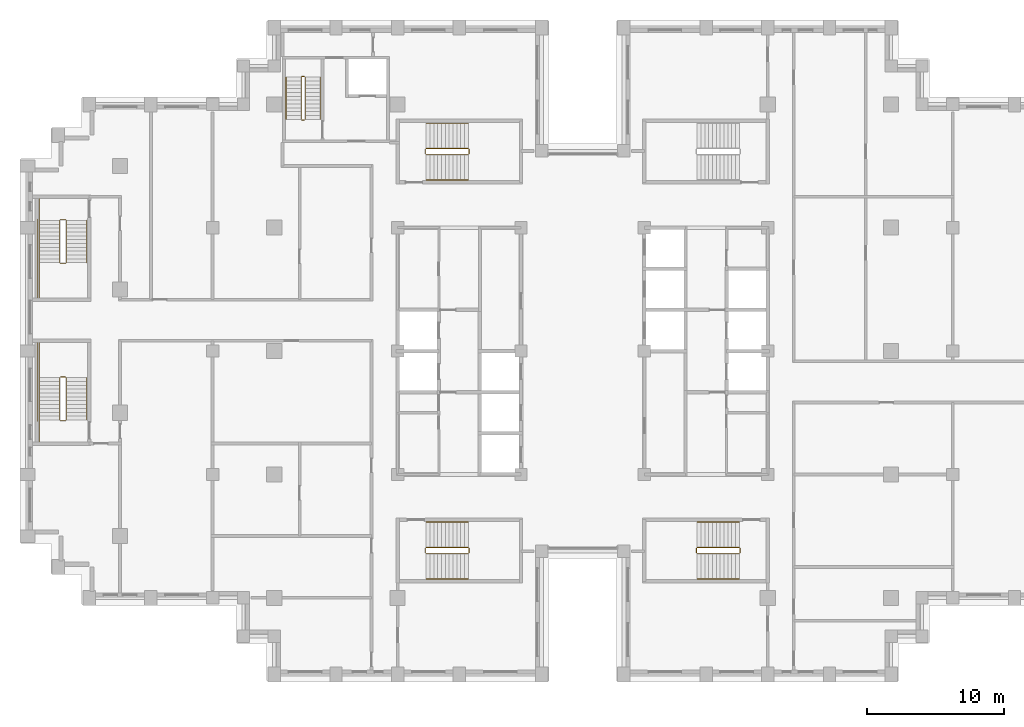
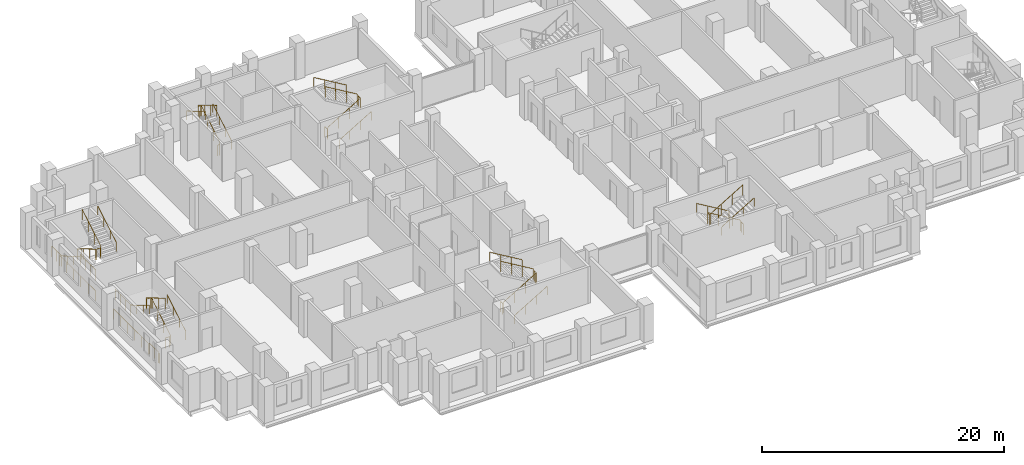
# One storey, part 14 of 15: 6 railings.
"""IFC4 building model written with IfcOpenShell, lengths in metres."""

import ifcopenshell
import ifcopenshell.guid

model = None  # the IFC model being written
_history = None  # IfcOwnerHistory: only IFC2X3 demands one
_inside = {}  # id of a spatial element -> (the spatial element, [elements in it])
_under = {}  # id of a project, library or spatial element -> (it, [spatial elements below it])
_declared = {}  # id of a project -> (the project, [libraries it declares])
_typed = {}  # id of a type object -> (the type object, [elements of that type])
_made_of = {}  # id of a material, layer set ... -> (it, [elements and type objects made of it])


def new_model(schema):
    """Start an empty IFC model of exactly this schema.

    Asked for "IFC4X3", IfcOpenShell would pick the latest addendum, in which some entities
    have other attributes; the version numbers below select the first issue.
    IFC2X3 requires an IfcOwnerHistory on every rooted entity: one is made here for all.
    """
    global model, _history
    if schema == "IFC4X3":
        model = ifcopenshell.file(schema_version=(4, 3, 0, 0))
    else:
        model = ifcopenshell.file(schema=schema)
    _inside.clear()
    _under.clear()
    _declared.clear()
    _typed.clear()
    _made_of.clear()
    _history = None
    if model.schema == "IFC2X3":
        org = make("IfcOrganization", Name="unknown")
        user = make(
            "IfcPersonAndOrganization",
            ThePerson=make("IfcPerson", FamilyName="unknown"),
            TheOrganization=org,
        )
        app = make(
            "IfcApplication",
            ApplicationDeveloper=org,
            Version="unknown",
            ApplicationFullName="unknown",
            ApplicationIdentifier="unknown",
        )
        _history = make(
            "IfcOwnerHistory",
            OwningUser=user,
            OwningApplication=app,
            ChangeAction="ADDED",
            CreationDate=0,
        )
    return model


def make(cls, **values):
    """One entity of the class cls with the attributes given. An attribute that is None is left unset."""
    return model.create_entity(
        cls, **{name: value for name, value in values.items() if value is not None}
    )


def rooted(cls, **values):
    """An entity with a GlobalId (a new one), such as an element, a storey or a relation."""
    return make(cls, GlobalId=ifcopenshell.guid.new(), OwnerHistory=_history, **values)


def si_unit(unit_type, name, prefix=None):
    """IfcSIUnit, for example si_unit("LENGTHUNIT", "METRE", prefix="MILLI")."""
    return make("IfcSIUnit", UnitType=unit_type, Prefix=prefix, Name=name)


def assignment(units):
    """IfcUnitAssignment: the units of a project."""
    return None if units is None else make("IfcUnitAssignment", Units=units)


def point(xyz):
    """IfcCartesianPoint."""
    return None if xyz is None else make("IfcCartesianPoint", Coordinates=xyz)


def direction(xyz):
    """IfcDirection."""
    return None if xyz is None else make("IfcDirection", DirectionRatios=xyz)


def frame(location, z_axis=None, x_axis=None):
    """IfcAxis2Placement3D, a coordinate frame: its origin and axes. An axis left out is left unset."""
    return make(
        "IfcAxis2Placement3D",
        Location=point(location),
        Axis=direction(z_axis),
        RefDirection=direction(x_axis),
    )


def frame_2d(location, x_axis=None):
    """IfcAxis2Placement2D, a coordinate frame in the plane: its origin and x axis."""
    return make(
        "IfcAxis2Placement2D", Location=point(location), RefDirection=direction(x_axis)
    )


def origin():
    """The frame at (0, 0, 0) with its axes left unset."""
    return frame((0.0, 0.0, 0.0))


def origin_2d():
    """The frame at (0, 0) in the plane with its x axis left unset."""
    return frame_2d((0.0, 0.0))


def place(relative_to, where):
    """IfcLocalPlacement: puts the frame where relative to a parent placement (None: the world)."""
    return make(
        "IfcLocalPlacement", PlacementRelTo=relative_to, RelativePlacement=where
    )


def context(
    kind, dimensions, precision=None, world=None, true_north=None, identifier=None
):
    """IfcGeometricRepresentationContext, for example the 3D "Model" context."""
    return make(
        "IfcGeometricRepresentationContext",
        ContextIdentifier=identifier,
        ContextType=kind,
        CoordinateSpaceDimension=dimensions,
        Precision=precision,
        WorldCoordinateSystem=world,
        TrueNorth=true_north,
    )


def subcontext(parent, identifier, kind, view, scale=None):
    """IfcGeometricRepresentationSubContext, for example "Body" below "Model"."""
    return make(
        "IfcGeometricRepresentationSubContext",
        ContextIdentifier=identifier,
        ContextType=kind,
        ParentContext=parent,
        TargetScale=scale,
        TargetView=view,
    )


def project(units=None, contexts=None):
    """IfcProject with its units and contexts."""
    return rooted(
        "IfcProject",
        Name="project",
        RepresentationContexts=contexts,
        UnitsInContext=assignment(units),
    )


def spatial(cls, under=None, at=None, **own):
    """A site, building, storey or space (cls), placed at a placement, below another one or the project."""
    s = rooted(cls, ObjectPlacement=at, **own)
    if under is not None:
        _under.setdefault(under.id(), (under, []))[1].append(s)
    return s


def profile(cls, at=None, kind="AREA", **sizes):
    """A parametric profile (cls). Its sizes go by their IFC names, for example OverallWidth=200.0."""
    return make(cls, ProfileType=kind, Position=at, **sizes)


def circle(**sizes):
    """IfcCircleProfileDef."""
    return profile("IfcCircleProfileDef", **sizes)


def extrude(swept, where, along, depth):
    """IfcExtrudedAreaSolid: the profile swept, set in the frame where, extruded along a direction by depth."""
    return make(
        "IfcExtrudedAreaSolid",
        SweptArea=swept,
        Position=where,
        ExtrudedDirection=direction(along),
        Depth=depth,
    )


def shape(context_of_items, identifier, shape_type, items):
    """IfcShapeRepresentation: the items that make up one representation, for example the "Body"."""
    return make(
        "IfcShapeRepresentation",
        ContextOfItems=context_of_items,
        RepresentationIdentifier=identifier,
        RepresentationType=shape_type,
        Items=items,
    )


def material(Name=None, Category=None):
    """IfcMaterial."""
    return make("IfcMaterial", Name=Name, Category=Category)


def made_of(thing, what):
    """Note that an element or type object is made of a material, layer set ...; save() writes the relation."""
    if what is not None:
        _made_of.setdefault(what.id(), (what, []))[1].append(thing)
    return thing


def type_object(cls, material=None, **own):
    """A type object (cls), such as IfcWallType, which elements share."""
    return made_of(rooted(cls, **own), material)


def element(
    cls,
    number,
    at=None,
    inside=None,
    cuts=None,
    type_object=None,
    material=None,
    context=None,
    identifier="Body",
    shape_type=None,
    held_by="IfcProductDefinitionShape",
    body=None,
    shapes=None,
    **own,
):
    """One element of the class cls, such as IfcWall. Its Tag is "e" and its number.

    at: its placement. inside: the storey or other place that contains it. cuts: it is an
    opening in that element (IfcRelVoidsElement). A single representation is given by context,
    identifier, shape_type and body (its items); several are given by shapes. held_by: the class
    of the entity that holds the representations. save() writes the other relations.
    """
    e = rooted(cls, Tag="e%d" % number, ObjectPlacement=at, **own)
    if body is not None:
        shapes = [shape(context, identifier, shape_type, body)]
    if shapes is not None:
        e.Representation = make(held_by, Representations=shapes)
    if inside is not None:
        _inside.setdefault(inside.id(), (inside, []))[1].append(e)
    if cuts is not None:
        rooted(
            "IfcRelVoidsElement", RelatingBuildingElement=cuts, RelatedOpeningElement=e
        )
    if type_object is not None:
        _typed.setdefault(type_object.id(), (type_object, []))[1].append(e)
    return made_of(e, material)


def aggregate(whole, parts):
    """IfcRelAggregates: a whole, such as a stair, and the parts it consists of."""
    return rooted("IfcRelAggregates", RelatingObject=whole, RelatedObjects=parts)


def save(model, path):
    """Write the relations noted so far, then the file.

    IfcRelAggregates (storeys below a building ...), IfcRelContainedInSpatialStructure (elements
    in a storey), IfcRelDefinesByType, IfcRelAssociatesMaterial and IfcRelDeclares: one each for
    every whole, place, type object, material and project.
    """
    for whole, parts in _under.values():
        aggregate(whole, parts)
    for where, things in _inside.values():
        rooted(
            "IfcRelContainedInSpatialStructure",
            RelatedElements=things,
            RelatingStructure=where,
        )
    for kind, things in _typed.values():
        rooted("IfcRelDefinesByType", RelatedObjects=things, RelatingType=kind)
    for what, things in _made_of.values():
        rooted("IfcRelAssociatesMaterial", RelatedObjects=things, RelatingMaterial=what)
    for by, libraries in _declared.values():
        rooted("IfcRelDeclares", RelatingContext=by, RelatedDefinitions=libraries)
    model.write(path)


model = new_model("IFC4")

# Units and contexts
model_context = context("Model", 3, precision=1e-05, world=origin(), true_north=direction((0.0, 1.0)))
body_context = subcontext(model_context, "Body", "Model", "MODEL_VIEW")
ifc_project = project(units=[si_unit("LENGTHUNIT", "METRE"), si_unit("AREAUNIT", "SQUARE_METRE"), si_unit("VOLUMEUNIT", "CUBIC_METRE"), si_unit("PLANEANGLEUNIT", "RADIAN"), si_unit("MASSUNIT", "GRAM", prefix="KILO")], contexts=[model_context])

# Site, building, storey
site_placement = place(None, origin())
site = spatial("IfcSite", under=ifc_project, at=site_placement, CompositionType="ELEMENT")
building_placement = place(site_placement, origin())
building = spatial("IfcBuilding", under=site, at=building_placement, Name="Corbelhall Arena Tower", CompositionType="ELEMENT")
storey_placement = place(building_placement, frame((0.0, 0.0, 162.0)))
storey = spatial("IfcBuildingStorey", under=building, at=storey_placement, Name="L32", CompositionType="ELEMENT", Elevation=162.0)

# Railings
ifc_material = material(Name="Steel ASTM A500 Gr C", Category="steel")
railing_type = type_object("IfcRailingType", Name="IN-GD-1100", PredefinedType="GUARDRAIL", material=ifc_material)
railing_1_placement = place(storey_placement, frame((-11.425048828125, 14.324951171875, 0.166748046875)))
element("IfcRailing", 1, at=railing_1_placement, inside=storey, type_object=railing_type, Name="L32 ST1 stair guards and handrails", PredefinedType="GUARDRAIL", context=body_context, shape_type="SweptSolid", body=[
    extrude(circle(Radius=0.02392578125, at=origin_2d()), frame((0.0, 0.0, 1.076171875), z_axis=(0.859308565015, 0.0, 0.511457515432), x_axis=(0.0, 1.0, 0.0)), (0.0, 0.0, 1.0), 3.58447265625),
    extrude(circle(Radius=0.02392578125, at=origin_2d()), frame((3.130126953125, 0.050048828125, 2.9091796875), z_axis=(0.0, 1.0, 0.0), x_axis=(-1.0, 0.0, 0.0)), (0.0, 0.0, 1.0), 0.35009765625),
    extrude(circle(Radius=0.02392578125, at=origin_2d()), frame((3.080078125, 0.449951171875, 3.076171875), z_axis=(-0.859308565015, 0.0, 0.511457515432), x_axis=(0.0, -1.0, 0.0)), (0.0, 0.0, 1.0), 3.58447265625),
    extrude(circle(Radius=0.02392578125, at=origin_2d()), frame((-0.050048828125, 0.050048828125, 0.9091796875), z_axis=(0.0, 1.0, 0.0), x_axis=(-1.0, 0.0, 0.0)), (0.0, 0.0, 1.0), 0.35009765625),
    extrude(circle(Radius=0.02392578125, at=origin_2d()), frame((0.0, -1.849853515625, 0.8759765625), z_axis=(0.859308565015, 0.0, 0.511457515432), x_axis=(0.0, 1.0, 0.0)), (0.0, 0.0, 1.0), 3.58447265625),
    extrude(circle(Radius=0.02392578125, at=origin_2d()), frame((3.080078125, 2.300048828125, 2.8759765625), z_axis=(-0.859308565015, 0.0, 0.511457515432), x_axis=(0.0, -1.0, 0.0)), (0.0, 0.0, 1.0), 3.58447265625),
    extrude(circle(Radius=0.02099609375, at=origin_2d()), origin(), (0.0, 0.0, 1.0), 1.052001953125),
    extrude(circle(Radius=0.02099609375, at=origin_2d()), frame((1.026611328125, 0.0, 0.611083984375)), (0.0, 0.0, 1.0), 1.052001953125),
    extrude(circle(Radius=0.02099609375, at=origin_2d()), frame((2.053466796875, 0.0, 1.22216796875)), (0.0, 0.0, 1.0), 1.052001953125),
    extrude(circle(Radius=0.02099609375, at=origin_2d()), frame((3.080078125, 0.0, 1.833251953125)), (0.0, 0.0, 1.0), 1.052001953125),
    extrude(circle(Radius=0.02099609375, at=origin_2d()), frame((3.130126953125, 0.050048828125, 1.833251953125)), (0.0, 0.0, 1.0), 1.052001953125),
    extrude(circle(Radius=0.02099609375, at=origin_2d()), frame((3.130126953125, 0.400146484375, 1.833251953125)), (0.0, 0.0, 1.0), 1.052001953125),
    extrude(circle(Radius=0.02099609375, at=origin_2d()), frame((3.080078125, 0.449951171875, 2.0)), (0.0, 0.0, 1.0), 1.052001953125),
    extrude(circle(Radius=0.02099609375, at=origin_2d()), frame((2.053466796875, 0.449951171875, 2.611083984375)), (0.0, 0.0, 1.0), 1.052001953125),
    extrude(circle(Radius=0.02099609375, at=origin_2d()), frame((1.026611328125, 0.449951171875, 3.22216796875)), (0.0, 0.0, 1.0), 1.052001953125),
    extrude(circle(Radius=0.02099609375, at=origin_2d()), frame((0.0, 0.449951171875, 3.833251953125)), (0.0, 0.0, 1.0), 1.052001953125),
    extrude(circle(Radius=0.02099609375, at=origin_2d()), frame((-0.050048828125, 0.050048828125, -0.166748046875)), (0.0, 0.0, 1.0), 1.052001953125),
    extrude(circle(Radius=0.02099609375, at=origin_2d()), frame((-0.050048828125, 0.400146484375, -0.166748046875)), (0.0, 0.0, 1.0), 1.052001953125),
    extrude(circle(Radius=0.02099609375, at=origin_2d()), frame((0.0, -1.849853515625, 0.0)), (0.0, 0.0, 1.0), 0.851806640625),
    extrude(circle(Radius=0.02099609375, at=origin_2d()), frame((1.026611328125, -1.849853515625, 0.611083984375)), (0.0, 0.0, 1.0), 0.851806640625),
    extrude(circle(Radius=0.02099609375, at=origin_2d()), frame((2.053466796875, -1.849853515625, 1.22216796875)), (0.0, 0.0, 1.0), 0.851806640625),
    extrude(circle(Radius=0.02099609375, at=origin_2d()), frame((3.080078125, -1.849853515625, 1.833251953125)), (0.0, 0.0, 1.0), 0.851806640625),
    extrude(circle(Radius=0.02099609375, at=origin_2d()), frame((3.080078125, 2.300048828125, 2.0)), (0.0, 0.0, 1.0), 0.851806640625),
    extrude(circle(Radius=0.02099609375, at=origin_2d()), frame((2.053466796875, 2.300048828125, 2.611083984375)), (0.0, 0.0, 1.0), 0.851806640625),
    extrude(circle(Radius=0.02099609375, at=origin_2d()), frame((1.026611328125, 2.300048828125, 3.22216796875)), (0.0, 0.0, 1.0), 0.851806640625),
    extrude(circle(Radius=0.02099609375, at=origin_2d()), frame((0.0, 2.300048828125, 3.833251953125)), (0.0, 0.0, 1.0), 0.851806640625),
])
railing_2_placement = place(storey_placement, frame((-11.425048828125, -14.77490234375, 0.166748046875)))
element("IfcRailing", 2, at=railing_2_placement, inside=storey, type_object=railing_type, Name="L32 ST2 stair guards and handrails", PredefinedType="GUARDRAIL", context=body_context, shape_type="SweptSolid", body=[
    extrude(circle(Radius=0.02392578125, at=origin_2d()), frame((0.0, 0.0, 1.076171875), z_axis=(0.859308565015, 0.0, 0.511457515432), x_axis=(0.0, 1.0, 0.0)), (0.0, 0.0, 1.0), 3.58447265625),
    extrude(circle(Radius=0.02392578125, at=origin_2d()), frame((3.130126953125, 0.0498046875, 2.9091796875), z_axis=(0.0, 1.0, 0.0), x_axis=(-1.0, 0.0, 0.0)), (0.0, 0.0, 1.0), 0.35009765625),
    extrude(circle(Radius=0.02392578125, at=origin_2d()), frame((3.080078125, 0.449951171875, 3.076171875), z_axis=(-0.859308565015, 0.0, 0.511457515432), x_axis=(0.0, -1.0, 0.0)), (0.0, 0.0, 1.0), 3.58447265625),
    extrude(circle(Radius=0.02392578125, at=origin_2d()), frame((-0.050048828125, 0.0498046875, 0.9091796875), z_axis=(0.0, 1.0, 0.0), x_axis=(-1.0, 0.0, 0.0)), (0.0, 0.0, 1.0), 0.35009765625),
    extrude(circle(Radius=0.02392578125, at=origin_2d()), frame((0.0, -1.85009765625, 0.8759765625), z_axis=(0.859308565015, 0.0, 0.511457515432), x_axis=(0.0, 1.0, 0.0)), (0.0, 0.0, 1.0), 3.58447265625),
    extrude(circle(Radius=0.02392578125, at=origin_2d()), frame((3.080078125, 2.2998046875, 2.8759765625), z_axis=(-0.859308565015, 0.0, 0.511457515432), x_axis=(0.0, -1.0, 0.0)), (0.0, 0.0, 1.0), 3.58447265625),
    extrude(circle(Radius=0.02099609375, at=origin_2d()), origin(), (0.0, 0.0, 1.0), 1.052001953125),
    extrude(circle(Radius=0.02099609375, at=origin_2d()), frame((1.026611328125, 0.0, 0.611083984375)), (0.0, 0.0, 1.0), 1.052001953125),
    extrude(circle(Radius=0.02099609375, at=origin_2d()), frame((2.053466796875, 0.0, 1.22216796875)), (0.0, 0.0, 1.0), 1.052001953125),
    extrude(circle(Radius=0.02099609375, at=origin_2d()), frame((3.080078125, 0.0, 1.833251953125)), (0.0, 0.0, 1.0), 1.052001953125),
    extrude(circle(Radius=0.02099609375, at=origin_2d()), frame((3.130126953125, 0.0498046875, 1.833251953125)), (0.0, 0.0, 1.0), 1.052001953125),
    extrude(circle(Radius=0.02099609375, at=origin_2d()), frame((3.130126953125, 0.39990234375, 1.833251953125)), (0.0, 0.0, 1.0), 1.052001953125),
    extrude(circle(Radius=0.02099609375, at=origin_2d()), frame((3.080078125, 0.449951171875, 2.0)), (0.0, 0.0, 1.0), 1.052001953125),
    extrude(circle(Radius=0.02099609375, at=origin_2d()), frame((2.053466796875, 0.449951171875, 2.611083984375)), (0.0, 0.0, 1.0), 1.052001953125),
    extrude(circle(Radius=0.02099609375, at=origin_2d()), frame((1.026611328125, 0.449951171875, 3.22216796875)), (0.0, 0.0, 1.0), 1.052001953125),
    extrude(circle(Radius=0.02099609375, at=origin_2d()), frame((0.0, 0.449951171875, 3.833251953125)), (0.0, 0.0, 1.0), 1.052001953125),
    extrude(circle(Radius=0.02099609375, at=origin_2d()), frame((-0.050048828125, 0.0498046875, -0.166748046875)), (0.0, 0.0, 1.0), 1.052001953125),
    extrude(circle(Radius=0.02099609375, at=origin_2d()), frame((-0.050048828125, 0.39990234375, -0.166748046875)), (0.0, 0.0, 1.0), 1.052001953125),
    extrude(circle(Radius=0.02099609375, at=origin_2d()), frame((0.0, -1.85009765625, 0.0)), (0.0, 0.0, 1.0), 0.851806640625),
    extrude(circle(Radius=0.02099609375, at=origin_2d()), frame((1.026611328125, -1.85009765625, 0.611083984375)), (0.0, 0.0, 1.0), 0.851806640625),
    extrude(circle(Radius=0.02099609375, at=origin_2d()), frame((2.053466796875, -1.85009765625, 1.22216796875)), (0.0, 0.0, 1.0), 0.851806640625),
    extrude(circle(Radius=0.02099609375, at=origin_2d()), frame((3.080078125, -1.85009765625, 1.833251953125)), (0.0, 0.0, 1.0), 0.851806640625),
    extrude(circle(Radius=0.02099609375, at=origin_2d()), frame((3.080078125, 2.2998046875, 2.0)), (0.0, 0.0, 1.0), 0.851806640625),
    extrude(circle(Radius=0.02099609375, at=origin_2d()), frame((2.053466796875, 2.2998046875, 2.611083984375)), (0.0, 0.0, 1.0), 0.851806640625),
    extrude(circle(Radius=0.02099609375, at=origin_2d()), frame((1.026611328125, 2.2998046875, 3.22216796875)), (0.0, 0.0, 1.0), 0.851806640625),
    extrude(circle(Radius=0.02099609375, at=origin_2d()), frame((0.0, 2.2998046875, 3.833251953125)), (0.0, 0.0, 1.0), 0.851806640625),
])
railing_3_placement = place(storey_placement, frame((11.425048828125, -14.324951171875, 0.166748046875)))
element("IfcRailing", 3, at=railing_3_placement, inside=storey, type_object=railing_type, Name="L32 ST4 stair guards and handrails", PredefinedType="GUARDRAIL", context=body_context, shape_type="SweptSolid", body=[
    extrude(circle(Radius=0.02392578125, at=origin_2d()), frame((0.0, 0.0, 1.076171875), z_axis=(-0.859308565015, 0.0, 0.511457515432), x_axis=(0.0, -1.0, 0.0)), (0.0, 0.0, 1.0), 3.58447265625),
    extrude(circle(Radius=0.02392578125, at=origin_2d()), frame((-3.130126953125, -0.050048828125, 2.9091796875), z_axis=(0.0, -1.0, 0.0), x_axis=(1.0, 0.0, 0.0)), (0.0, 0.0, 1.0), 0.35009765625),
    extrude(circle(Radius=0.02392578125, at=origin_2d()), frame((-3.080078125, -0.449951171875, 3.076171875), z_axis=(0.859308565015, 0.0, 0.511457515432), x_axis=(0.0, 1.0, 0.0)), (0.0, 0.0, 1.0), 3.58447265625),
    extrude(circle(Radius=0.02392578125, at=origin_2d()), frame((0.050048828125, -0.050048828125, 0.9091796875), z_axis=(0.0, -1.0, 0.0), x_axis=(1.0, 0.0, 0.0)), (0.0, 0.0, 1.0), 0.35009765625),
    extrude(circle(Radius=0.02392578125, at=origin_2d()), frame((0.0, 1.849853515625, 0.8759765625), z_axis=(-0.859308565015, 0.0, 0.511457515432), x_axis=(0.0, -1.0, 0.0)), (0.0, 0.0, 1.0), 3.58447265625),
    extrude(circle(Radius=0.02392578125, at=origin_2d()), frame((-3.080078125, -2.300048828125, 2.8759765625), z_axis=(0.859308565015, 0.0, 0.511457515432), x_axis=(0.0, 1.0, 0.0)), (0.0, 0.0, 1.0), 3.58447265625),
    extrude(circle(Radius=0.02099609375, at=origin_2d()), origin(), (0.0, 0.0, 1.0), 1.052001953125),
    extrude(circle(Radius=0.02099609375, at=origin_2d()), frame((-1.026611328125, 0.0, 0.611083984375)), (0.0, 0.0, 1.0), 1.052001953125),
    extrude(circle(Radius=0.02099609375, at=origin_2d()), frame((-2.053466796875, 0.0, 1.22216796875)), (0.0, 0.0, 1.0), 1.052001953125),
    extrude(circle(Radius=0.02099609375, at=origin_2d()), frame((-3.080078125, 0.0, 1.833251953125)), (0.0, 0.0, 1.0), 1.052001953125),
    extrude(circle(Radius=0.02099609375, at=origin_2d()), frame((-3.130126953125, -0.050048828125, 1.833251953125)), (0.0, 0.0, 1.0), 1.052001953125),
    extrude(circle(Radius=0.02099609375, at=origin_2d()), frame((-3.130126953125, -0.400146484375, 1.833251953125)), (0.0, 0.0, 1.0), 1.052001953125),
    extrude(circle(Radius=0.02099609375, at=origin_2d()), frame((-3.080078125, -0.449951171875, 2.0)), (0.0, 0.0, 1.0), 1.052001953125),
    extrude(circle(Radius=0.02099609375, at=origin_2d()), frame((-2.053466796875, -0.449951171875, 2.611083984375)), (0.0, 0.0, 1.0), 1.052001953125),
    extrude(circle(Radius=0.02099609375, at=origin_2d()), frame((-1.026611328125, -0.449951171875, 3.22216796875)), (0.0, 0.0, 1.0), 1.052001953125),
    extrude(circle(Radius=0.02099609375, at=origin_2d()), frame((0.0, -0.449951171875, 3.833251953125)), (0.0, 0.0, 1.0), 1.052001953125),
    extrude(circle(Radius=0.02099609375, at=origin_2d()), frame((0.050048828125, -0.050048828125, -0.166748046875)), (0.0, 0.0, 1.0), 1.052001953125),
    extrude(circle(Radius=0.02099609375, at=origin_2d()), frame((0.050048828125, -0.400146484375, -0.166748046875)), (0.0, 0.0, 1.0), 1.052001953125),
    extrude(circle(Radius=0.02099609375, at=origin_2d()), frame((0.0, 1.849853515625, 0.0)), (0.0, 0.0, 1.0), 0.851806640625),
    extrude(circle(Radius=0.02099609375, at=origin_2d()), frame((-1.026611328125, 1.849853515625, 0.611083984375)), (0.0, 0.0, 1.0), 0.851806640625),
    extrude(circle(Radius=0.02099609375, at=origin_2d()), frame((-2.053466796875, 1.849853515625, 1.22216796875)), (0.0, 0.0, 1.0), 0.851806640625),
    extrude(circle(Radius=0.02099609375, at=origin_2d()), frame((-3.080078125, 1.849853515625, 1.833251953125)), (0.0, 0.0, 1.0), 0.851806640625),
    extrude(circle(Radius=0.02099609375, at=origin_2d()), frame((-3.080078125, -2.300048828125, 2.0)), (0.0, 0.0, 1.0), 0.851806640625),
    extrude(circle(Radius=0.02099609375, at=origin_2d()), frame((-2.053466796875, -2.300048828125, 2.611083984375)), (0.0, 0.0, 1.0), 0.851806640625),
    extrude(circle(Radius=0.02099609375, at=origin_2d()), frame((-1.026611328125, -2.300048828125, 3.22216796875)), (0.0, 0.0, 1.0), 0.851806640625),
    extrude(circle(Radius=0.02099609375, at=origin_2d()), frame((0.0, -2.300048828125, 3.833251953125)), (0.0, 0.0, 1.0), 0.851806640625),
])
railing_4_placement = place(storey_placement, frame((-38.14990234375, 9.52490234375, 0.166748046875)))
element("IfcRailing", 4, at=railing_4_placement, inside=storey, type_object=railing_type, Name="L32 SC1 stair guards and handrails", PredefinedType="GUARDRAIL", context=body_context, shape_type="SweptSolid", body=[
    extrude(circle(Radius=0.02392578125, at=origin_2d()), frame((0.0, 0.0, 1.076171875), z_axis=(0.0, -0.859290745958, 0.51148745235), x_axis=(1.0, 0.0, 0.0)), (0.0, 0.0, 1.0), 3.584228515625),
    extrude(circle(Radius=0.02392578125, at=origin_2d()), frame((0.0498046875, -3.1298828125, 2.9091796875), z_axis=(1.0, 0.0, 0.0), x_axis=(0.0, 1.0, 0.0)), (0.0, 0.0, 1.0), 0.375),
    extrude(circle(Radius=0.02392578125, at=origin_2d()), frame((-1.5, -3.079833984375, 2.9091796875), z_axis=(0.0, -1.0, 0.0), x_axis=(1.0, 0.0, 0.0)), (0.0, 0.0, 1.0), 2.570068359375),
    extrude(circle(Radius=0.02392578125, at=origin_2d()), frame((0.474853515625, -3.079833984375, 3.076171875), z_axis=(0.0, 0.859290745958, 0.51148745235), x_axis=(-1.0, 0.0, 0.0)), (0.0, 0.0, 1.0), 3.584228515625),
    extrude(circle(Radius=0.02392578125, at=origin_2d()), frame((0.0498046875, 0.050048828125, 0.9091796875), z_axis=(1.0, 0.0, 0.0), x_axis=(0.0, 1.0, 0.0)), (0.0, 0.0, 1.0), 0.375),
    extrude(circle(Radius=0.02392578125, at=origin_2d()), frame((-1.5, 1.60009765625, 0.9091796875), z_axis=(0.0, -1.0, 0.0), x_axis=(1.0, 0.0, 0.0)), (0.0, 0.0, 1.0), 1.60009765625),
    extrude(circle(Radius=0.02392578125, at=origin_2d()), frame((-1.60009765625, 0.10009765625, 0.9091796875), z_axis=(0.0, -1.0, 0.0), x_axis=(1.0, 0.0, 0.0)), (0.0, 0.0, 1.0), 5.85009765625),
    extrude(circle(Radius=0.02392578125, at=origin_2d()), frame((-1.5, 0.0, 0.8759765625), z_axis=(0.0, -0.859290745958, 0.51148745235), x_axis=(1.0, 0.0, 0.0)), (0.0, 0.0, 1.0), 3.584228515625),
    extrude(circle(Radius=0.02392578125, at=origin_2d()), frame((1.974853515625, -3.079833984375, 2.8759765625), z_axis=(0.0, 0.859290745958, 0.51148745235), x_axis=(-1.0, 0.0, 0.0)), (0.0, 0.0, 1.0), 3.584228515625),
    extrude(circle(Radius=0.02099609375, at=origin_2d()), origin(), (0.0, 0.0, 1.0), 1.052001953125),
    extrude(circle(Radius=0.02099609375, at=origin_2d()), frame((0.0, -1.026611328125, 0.611083984375)), (0.0, 0.0, 1.0), 1.052001953125),
    extrude(circle(Radius=0.02099609375, at=origin_2d()), frame((0.0, -2.05322265625, 1.22216796875)), (0.0, 0.0, 1.0), 1.052001953125),
    extrude(circle(Radius=0.02099609375, at=origin_2d()), frame((0.0, -3.079833984375, 1.833251953125)), (0.0, 0.0, 1.0), 1.052001953125),
    extrude(circle(Radius=0.02099609375, at=origin_2d()), frame((0.0498046875, -3.1298828125, 1.833251953125)), (0.0, 0.0, 1.0), 1.052001953125),
    extrude(circle(Radius=0.02099609375, at=origin_2d()), frame((0.4248046875, -3.1298828125, 1.833251953125)), (0.0, 0.0, 1.0), 1.052001953125),
    extrude(circle(Radius=0.02099609375, at=origin_2d()), frame((-1.5, -3.079833984375, 1.833251953125)), (0.0, 0.0, 1.0), 1.052001953125),
    extrude(circle(Radius=0.02099609375, at=origin_2d()), frame((-1.5, -3.9365234375, 1.833251953125)), (0.0, 0.0, 1.0), 1.052001953125),
    extrude(circle(Radius=0.02099609375, at=origin_2d()), frame((-1.5, -4.793212890625, 1.833251953125)), (0.0, 0.0, 1.0), 1.052001953125),
    extrude(circle(Radius=0.02099609375, at=origin_2d()), frame((-1.5, -5.64990234375, 1.833251953125)), (0.0, 0.0, 1.0), 1.052001953125),
    extrude(circle(Radius=0.02099609375, at=origin_2d()), frame((0.474853515625, -3.079833984375, 2.0)), (0.0, 0.0, 1.0), 1.052001953125),
    extrude(circle(Radius=0.02099609375, at=origin_2d()), frame((0.474853515625, -2.05322265625, 2.611083984375)), (0.0, 0.0, 1.0), 1.052001953125),
    extrude(circle(Radius=0.02099609375, at=origin_2d()), frame((0.474853515625, -1.026611328125, 3.22216796875)), (0.0, 0.0, 1.0), 1.052001953125),
    extrude(circle(Radius=0.02099609375, at=origin_2d()), frame((0.474853515625, 0.0, 3.833251953125)), (0.0, 0.0, 1.0), 1.052001953125),
    extrude(circle(Radius=0.02099609375, at=origin_2d()), frame((0.0498046875, 0.050048828125, -0.166748046875)), (0.0, 0.0, 1.0), 1.052001953125),
    extrude(circle(Radius=0.02099609375, at=origin_2d()), frame((0.4248046875, 0.050048828125, -0.166748046875)), (0.0, 0.0, 1.0), 1.052001953125),
    extrude(circle(Radius=0.02099609375, at=origin_2d()), frame((-1.5, 1.60009765625, -0.166748046875)), (0.0, 0.0, 1.0), 1.052001953125),
    extrude(circle(Radius=0.02099609375, at=origin_2d()), frame((-1.5, 0.800048828125, -0.166748046875)), (0.0, 0.0, 1.0), 1.052001953125),
    extrude(circle(Radius=0.02099609375, at=origin_2d()), frame((-1.5, 0.0, -0.166748046875)), (0.0, 0.0, 1.0), 1.052001953125),
    extrude(circle(Radius=0.02099609375, at=origin_2d()), frame((-1.60009765625, 0.10009765625, -0.166748046875)), (0.0, 0.0, 1.0), 1.052001953125),
    extrude(circle(Radius=0.02099609375, at=origin_2d()), frame((-1.60009765625, -1.06982421875, -0.166748046875)), (0.0, 0.0, 1.0), 1.052001953125),
    extrude(circle(Radius=0.02099609375, at=origin_2d()), frame((-1.60009765625, -2.239990234375, -0.166748046875)), (0.0, 0.0, 1.0), 1.052001953125),
    extrude(circle(Radius=0.02099609375, at=origin_2d()), frame((-1.60009765625, -3.409912109375, -0.166748046875)), (0.0, 0.0, 1.0), 1.052001953125),
    extrude(circle(Radius=0.02099609375, at=origin_2d()), frame((-1.60009765625, -4.580078125, -0.166748046875)), (0.0, 0.0, 1.0), 1.052001953125),
    extrude(circle(Radius=0.02099609375, at=origin_2d()), frame((-1.60009765625, -5.75, -0.166748046875)), (0.0, 0.0, 1.0), 1.052001953125),
    extrude(circle(Radius=0.02099609375, at=origin_2d()), frame((-1.5, 0.0, 0.0)), (0.0, 0.0, 1.0), 0.851806640625),
    extrude(circle(Radius=0.02099609375, at=origin_2d()), frame((-1.5, -1.026611328125, 0.611083984375)), (0.0, 0.0, 1.0), 0.851806640625),
    extrude(circle(Radius=0.02099609375, at=origin_2d()), frame((-1.5, -2.05322265625, 1.22216796875)), (0.0, 0.0, 1.0), 0.851806640625),
    extrude(circle(Radius=0.02099609375, at=origin_2d()), frame((1.974853515625, -3.079833984375, 2.0)), (0.0, 0.0, 1.0), 0.851806640625),
    extrude(circle(Radius=0.02099609375, at=origin_2d()), frame((1.974853515625, -2.05322265625, 2.611083984375)), (0.0, 0.0, 1.0), 0.851806640625),
    extrude(circle(Radius=0.02099609375, at=origin_2d()), frame((1.974853515625, -1.026611328125, 3.22216796875)), (0.0, 0.0, 1.0), 0.851806640625),
    extrude(circle(Radius=0.02099609375, at=origin_2d()), frame((1.974853515625, 0.0, 3.833251953125)), (0.0, 0.0, 1.0), 0.851806640625),
])
railing_5_placement = place(storey_placement, frame((-37.675048828125, -5.02490234375, 0.166748046875)))
element("IfcRailing", 5, at=railing_5_placement, inside=storey, type_object=railing_type, Name="L32 SC2 stair guards and handrails", PredefinedType="GUARDRAIL", context=body_context, shape_type="SweptSolid", body=[
    extrude(circle(Radius=0.02392578125, at=origin_2d()), frame((0.0, 0.0, 1.076171875), z_axis=(0.0, 0.859290745958, 0.51148745235), x_axis=(-1.0, 0.0, 0.0)), (0.0, 0.0, 1.0), 3.584228515625),
    extrude(circle(Radius=0.02392578125, at=origin_2d()), frame((-0.050048828125, 3.1298828125, 2.9091796875), z_axis=(-1.0, 0.0, 0.0), x_axis=(0.0, -1.0, 0.0)), (0.0, 0.0, 1.0), 0.375),
    extrude(circle(Radius=0.02392578125, at=origin_2d()), frame((-1.974853515625, 3.079833984375, 2.9091796875), z_axis=(0.0, 1.0, 0.0), x_axis=(-1.0, 0.0, 0.0)), (0.0, 0.0, 1.0), 2.570068359375),
    extrude(circle(Radius=0.02392578125, at=origin_2d()), frame((-0.474853515625, 3.079833984375, 3.076171875), z_axis=(0.0, -0.859290745958, 0.51148745235), x_axis=(1.0, 0.0, 0.0)), (0.0, 0.0, 1.0), 3.584228515625),
    extrude(circle(Radius=0.02392578125, at=origin_2d()), frame((-0.050048828125, -0.050048828125, 0.9091796875), z_axis=(-1.0, 0.0, 0.0), x_axis=(0.0, -1.0, 0.0)), (0.0, 0.0, 1.0), 0.375),
    extrude(circle(Radius=0.02392578125, at=origin_2d()), frame((-1.974853515625, -1.60009765625, 0.9091796875), z_axis=(0.0, 1.0, 0.0), x_axis=(-1.0, 0.0, 0.0)), (0.0, 0.0, 1.0), 1.60009765625),
    extrude(circle(Radius=0.02392578125, at=origin_2d()), frame((-2.074951171875, -0.10009765625, 0.9091796875), z_axis=(0.0, 1.0, 0.0), x_axis=(-1.0, 0.0, 0.0)), (0.0, 0.0, 1.0), 5.85009765625),
    extrude(circle(Radius=0.02392578125, at=origin_2d()), frame((1.5, 0.0, 0.8759765625), z_axis=(0.0, 0.859290745958, 0.51148745235), x_axis=(-1.0, 0.0, 0.0)), (0.0, 0.0, 1.0), 3.584228515625),
    extrude(circle(Radius=0.02392578125, at=origin_2d()), frame((-1.974853515625, 3.079833984375, 2.8759765625), z_axis=(0.0, -0.859290745958, 0.51148745235), x_axis=(1.0, 0.0, 0.0)), (0.0, 0.0, 1.0), 3.584228515625),
    extrude(circle(Radius=0.02099609375, at=origin_2d()), origin(), (0.0, 0.0, 1.0), 1.052001953125),
    extrude(circle(Radius=0.02099609375, at=origin_2d()), frame((0.0, 1.026611328125, 0.611083984375)), (0.0, 0.0, 1.0), 1.052001953125),
    extrude(circle(Radius=0.02099609375, at=origin_2d()), frame((0.0, 2.05322265625, 1.22216796875)), (0.0, 0.0, 1.0), 1.052001953125),
    extrude(circle(Radius=0.02099609375, at=origin_2d()), frame((0.0, 3.079833984375, 1.833251953125)), (0.0, 0.0, 1.0), 1.052001953125),
    extrude(circle(Radius=0.02099609375, at=origin_2d()), frame((-0.050048828125, 3.1298828125, 1.833251953125)), (0.0, 0.0, 1.0), 1.052001953125),
    extrude(circle(Radius=0.02099609375, at=origin_2d()), frame((-0.425048828125, 3.1298828125, 1.833251953125)), (0.0, 0.0, 1.0), 1.052001953125),
    extrude(circle(Radius=0.02099609375, at=origin_2d()), frame((-1.974853515625, 3.079833984375, 1.833251953125)), (0.0, 0.0, 1.0), 1.052001953125),
    extrude(circle(Radius=0.02099609375, at=origin_2d()), frame((-1.974853515625, 3.9365234375, 1.833251953125)), (0.0, 0.0, 1.0), 1.052001953125),
    extrude(circle(Radius=0.02099609375, at=origin_2d()), frame((-1.974853515625, 4.793212890625, 1.833251953125)), (0.0, 0.0, 1.0), 1.052001953125),
    extrude(circle(Radius=0.02099609375, at=origin_2d()), frame((-1.974853515625, 5.64990234375, 1.833251953125)), (0.0, 0.0, 1.0), 1.052001953125),
    extrude(circle(Radius=0.02099609375, at=origin_2d()), frame((-0.474853515625, 3.079833984375, 2.0)), (0.0, 0.0, 1.0), 1.052001953125),
    extrude(circle(Radius=0.02099609375, at=origin_2d()), frame((-0.474853515625, 2.05322265625, 2.611083984375)), (0.0, 0.0, 1.0), 1.052001953125),
    extrude(circle(Radius=0.02099609375, at=origin_2d()), frame((-0.474853515625, 1.026611328125, 3.22216796875)), (0.0, 0.0, 1.0), 1.052001953125),
    extrude(circle(Radius=0.02099609375, at=origin_2d()), frame((-0.474853515625, 0.0, 3.833251953125)), (0.0, 0.0, 1.0), 1.052001953125),
    extrude(circle(Radius=0.02099609375, at=origin_2d()), frame((-0.050048828125, -0.050048828125, -0.166748046875)), (0.0, 0.0, 1.0), 1.052001953125),
    extrude(circle(Radius=0.02099609375, at=origin_2d()), frame((-0.425048828125, -0.050048828125, -0.166748046875)), (0.0, 0.0, 1.0), 1.052001953125),
    extrude(circle(Radius=0.02099609375, at=origin_2d()), frame((-1.974853515625, -1.60009765625, -0.166748046875)), (0.0, 0.0, 1.0), 1.052001953125),
    extrude(circle(Radius=0.02099609375, at=origin_2d()), frame((-1.974853515625, -0.800048828125, -0.166748046875)), (0.0, 0.0, 1.0), 1.052001953125),
    extrude(circle(Radius=0.02099609375, at=origin_2d()), frame((-1.974853515625, 0.0, -0.166748046875)), (0.0, 0.0, 1.0), 1.052001953125),
    extrude(circle(Radius=0.02099609375, at=origin_2d()), frame((-2.074951171875, -0.10009765625, -0.166748046875)), (0.0, 0.0, 1.0), 1.052001953125),
    extrude(circle(Radius=0.02099609375, at=origin_2d()), frame((-2.074951171875, 1.06982421875, -0.166748046875)), (0.0, 0.0, 1.0), 1.052001953125),
    extrude(circle(Radius=0.02099609375, at=origin_2d()), frame((-2.074951171875, 2.239990234375, -0.166748046875)), (0.0, 0.0, 1.0), 1.052001953125),
    extrude(circle(Radius=0.02099609375, at=origin_2d()), frame((-2.074951171875, 3.409912109375, -0.166748046875)), (0.0, 0.0, 1.0), 1.052001953125),
    extrude(circle(Radius=0.02099609375, at=origin_2d()), frame((-2.074951171875, 4.580078125, -0.166748046875)), (0.0, 0.0, 1.0), 1.052001953125),
    extrude(circle(Radius=0.02099609375, at=origin_2d()), frame((-2.074951171875, 5.75, -0.166748046875)), (0.0, 0.0, 1.0), 1.052001953125),
    extrude(circle(Radius=0.02099609375, at=origin_2d()), frame((1.5, 0.0, 0.0)), (0.0, 0.0, 1.0), 0.851806640625),
    extrude(circle(Radius=0.02099609375, at=origin_2d()), frame((1.5, 1.026611328125, 0.611083984375)), (0.0, 0.0, 1.0), 0.851806640625),
    extrude(circle(Radius=0.02099609375, at=origin_2d()), frame((1.5, 2.05322265625, 1.22216796875)), (0.0, 0.0, 1.0), 0.851806640625),
    extrude(circle(Radius=0.02099609375, at=origin_2d()), frame((1.5, 3.079833984375, 1.833251953125)), (0.0, 0.0, 1.0), 0.851806640625),
    extrude(circle(Radius=0.02099609375, at=origin_2d()), frame((-1.974853515625, 3.079833984375, 2.0)), (0.0, 0.0, 1.0), 0.851806640625),
    extrude(circle(Radius=0.02099609375, at=origin_2d()), frame((-1.974853515625, 2.05322265625, 2.611083984375)), (0.0, 0.0, 1.0), 0.851806640625),
    extrude(circle(Radius=0.02099609375, at=origin_2d()), frame((-1.974853515625, 1.026611328125, 3.22216796875)), (0.0, 0.0, 1.0), 0.851806640625),
    extrude(circle(Radius=0.02099609375, at=origin_2d()), frame((-1.974853515625, 0.0, 3.833251953125)), (0.0, 0.0, 1.0), 0.851806640625),
])
railing_6_placement = place(storey_placement, frame((-20.2451171875, 16.89990234375, 0.166748046875)))
element("IfcRailing", 6, at=railing_6_placement, inside=storey, type_object=railing_type, Name="L32 ST5 stair guards and handrails", PredefinedType="GUARDRAIL", context=body_context, shape_type="SweptSolid", body=[
    extrude(circle(Radius=0.02392578125, at=origin_2d()), frame((0.0, 0.0, 1.076171875), z_axis=(0.0, 0.859308565015, 0.511457515432), x_axis=(-1.0, 0.0, 0.0)), (0.0, 0.0, 1.0), 3.58447265625),
    extrude(circle(Radius=0.02392578125, at=origin_2d()), frame((-0.0498046875, 3.130126953125, 2.9091796875), z_axis=(-1.0, 0.0, 0.0), x_axis=(0.0, -1.0, 0.0)), (0.0, 0.0, 1.0), 0.2001953125),
    extrude(circle(Radius=0.02392578125, at=origin_2d()), frame((-0.2998046875, 3.080078125, 3.076171875), z_axis=(0.0, -0.859308565015, 0.511457515432), x_axis=(1.0, 0.0, 0.0)), (0.0, 0.0, 1.0), 3.58447265625),
    extrude(circle(Radius=0.02392578125, at=origin_2d()), frame((-0.0498046875, -0.0498046875, 0.9091796875), z_axis=(-1.0, 0.0, 0.0), x_axis=(0.0, -1.0, 0.0)), (0.0, 0.0, 1.0), 0.2001953125),
    extrude(circle(Radius=0.02392578125, at=origin_2d()), frame((1.10009765625, 0.0, 0.8759765625), z_axis=(0.0, 0.859308565015, 0.511457515432), x_axis=(-1.0, 0.0, 0.0)), (0.0, 0.0, 1.0), 3.58447265625),
    extrude(circle(Radius=0.02392578125, at=origin_2d()), frame((-1.39990234375, 3.080078125, 2.8759765625), z_axis=(0.0, -0.859308565015, 0.511457515432), x_axis=(1.0, 0.0, 0.0)), (0.0, 0.0, 1.0), 3.58447265625),
    extrude(circle(Radius=0.02099609375, at=origin_2d()), origin(), (0.0, 0.0, 1.0), 1.052001953125),
    extrude(circle(Radius=0.02099609375, at=origin_2d()), frame((0.0, 1.026611328125, 0.611083984375)), (0.0, 0.0, 1.0), 1.052001953125),
    extrude(circle(Radius=0.02099609375, at=origin_2d()), frame((0.0, 2.053466796875, 1.22216796875)), (0.0, 0.0, 1.0), 1.052001953125),
    extrude(circle(Radius=0.02099609375, at=origin_2d()), frame((0.0, 3.080078125, 1.833251953125)), (0.0, 0.0, 1.0), 1.052001953125),
    extrude(circle(Radius=0.02099609375, at=origin_2d()), frame((-0.0498046875, 3.130126953125, 1.833251953125)), (0.0, 0.0, 1.0), 1.052001953125),
    extrude(circle(Radius=0.02099609375, at=origin_2d()), frame((-0.25, 3.130126953125, 1.833251953125)), (0.0, 0.0, 1.0), 1.052001953125),
    extrude(circle(Radius=0.02099609375, at=origin_2d()), frame((-0.2998046875, 3.080078125, 2.0)), (0.0, 0.0, 1.0), 1.052001953125),
    extrude(circle(Radius=0.02099609375, at=origin_2d()), frame((-0.2998046875, 2.053466796875, 2.611083984375)), (0.0, 0.0, 1.0), 1.052001953125),
    extrude(circle(Radius=0.02099609375, at=origin_2d()), frame((-0.2998046875, 1.026611328125, 3.22216796875)), (0.0, 0.0, 1.0), 1.052001953125),
    extrude(circle(Radius=0.02099609375, at=origin_2d()), frame((-0.2998046875, 0.0, 3.833251953125)), (0.0, 0.0, 1.0), 1.052001953125),
    extrude(circle(Radius=0.02099609375, at=origin_2d()), frame((-0.0498046875, -0.0498046875, -0.166748046875)), (0.0, 0.0, 1.0), 1.052001953125),
    extrude(circle(Radius=0.02099609375, at=origin_2d()), frame((-0.25, -0.0498046875, -0.166748046875)), (0.0, 0.0, 1.0), 1.052001953125),
    extrude(circle(Radius=0.02099609375, at=origin_2d()), frame((1.10009765625, 0.0, 0.0)), (0.0, 0.0, 1.0), 0.851806640625),
    extrude(circle(Radius=0.02099609375, at=origin_2d()), frame((1.10009765625, 1.026611328125, 0.611083984375)), (0.0, 0.0, 1.0), 0.851806640625),
    extrude(circle(Radius=0.02099609375, at=origin_2d()), frame((1.10009765625, 2.053466796875, 1.22216796875)), (0.0, 0.0, 1.0), 0.851806640625),
    extrude(circle(Radius=0.02099609375, at=origin_2d()), frame((1.10009765625, 3.080078125, 1.833251953125)), (0.0, 0.0, 1.0), 0.851806640625),
    extrude(circle(Radius=0.02099609375, at=origin_2d()), frame((-1.39990234375, 3.080078125, 2.0)), (0.0, 0.0, 1.0), 0.851806640625),
    extrude(circle(Radius=0.02099609375, at=origin_2d()), frame((-1.39990234375, 2.053466796875, 2.611083984375)), (0.0, 0.0, 1.0), 0.851806640625),
    extrude(circle(Radius=0.02099609375, at=origin_2d()), frame((-1.39990234375, 1.026611328125, 3.22216796875)), (0.0, 0.0, 1.0), 0.851806640625),
    extrude(circle(Radius=0.02099609375, at=origin_2d()), frame((-1.39990234375, 0.0, 3.833251953125)), (0.0, 0.0, 1.0), 0.851806640625),
])

save(model, "model.ifc")
